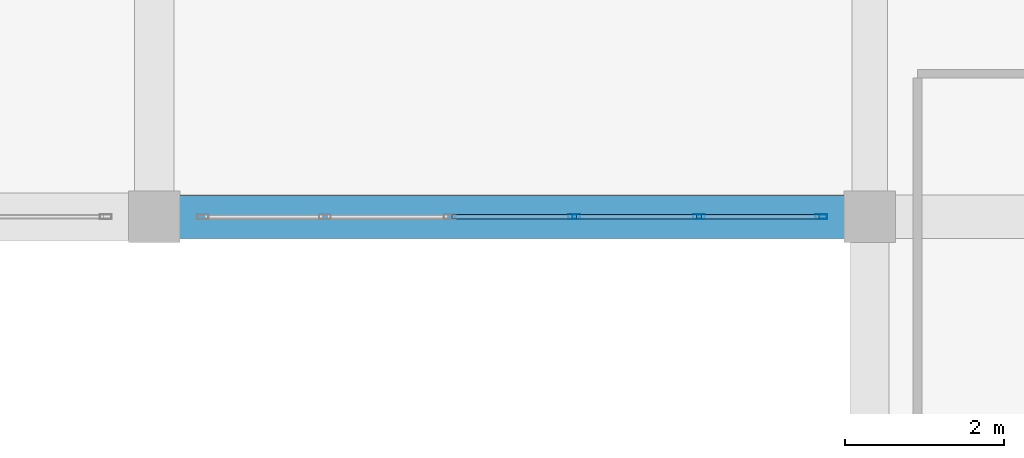
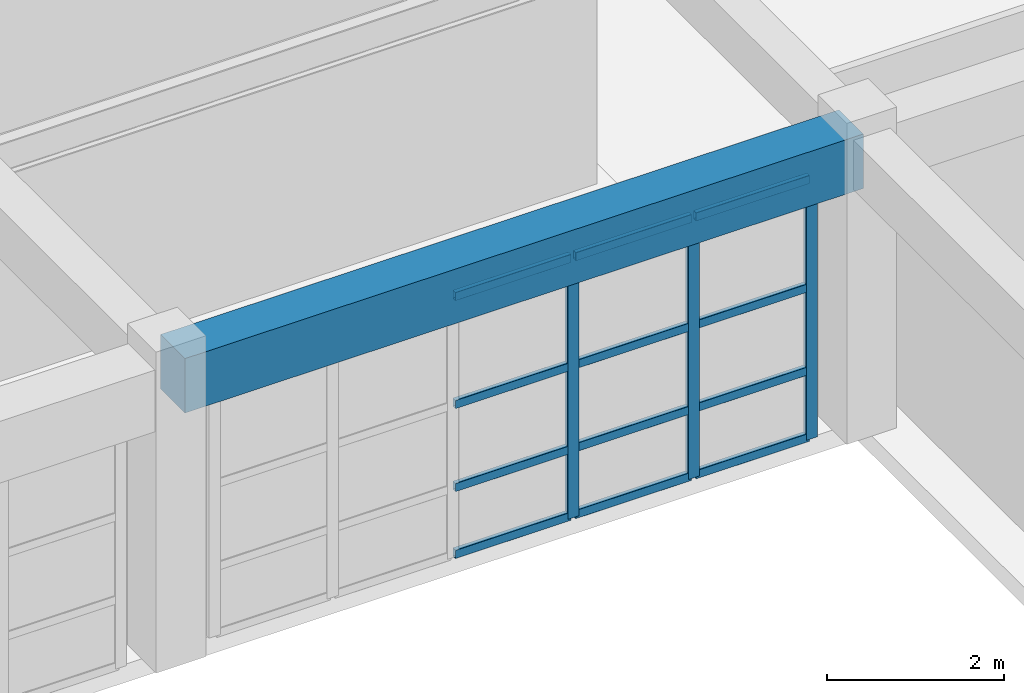
# One storey, part 81 of 133: 15 members, 1 beam, 1 element without a shape of its own.
"""IFC4 building model written with IfcOpenShell, lengths in metres."""

from ifc_helpers import new_model, si_unit, direction, frame, origin, origin_2d, place, context, subcontext, project, spatial, rectangle, hollow_rectangle, extrude, material, material_profile, profile_set, type_object, element, aggregate, save


model = new_model("IFC4")

# Units and contexts
model_context = context("Model", 3, precision=1e-05, world=origin(), true_north=direction((0.0, 1.0)))
body_context = subcontext(model_context, "Body", "Model", "MODEL_VIEW")
ifc_project = project(units=[si_unit("LENGTHUNIT", "METRE"), si_unit("AREAUNIT", "SQUARE_METRE"), si_unit("VOLUMEUNIT", "CUBIC_METRE"), si_unit("PLANEANGLEUNIT", "RADIAN"), si_unit("MASSUNIT", "GRAM", prefix="KILO")], contexts=[model_context])

# Site, building, storey
site_placement = place(None, origin())
site = spatial("IfcSite", under=ifc_project, at=site_placement, CompositionType="ELEMENT")
building_placement = place(site_placement, origin())
building = spatial("IfcBuilding", under=site, at=building_placement, Name="Miravela Opera House", CompositionType="ELEMENT")
storey_placement = place(building_placement, frame((0.0, 0.0, 5.10009765625)))
storey = spatial("IfcBuildingStorey", under=building, at=storey_placement, Name="L01", CompositionType="ELEMENT", Elevation=5.10009765625)

# Curtain wall, members
ifc_material_1 = material(Name="Anodised architectural bronze aluminium 6063-T6", Category="aluminium")
curtain_wall_type = type_object("IfcCurtainWallType", Name="ARC-CW-06", PredefinedType="NOTDEFINED", material=ifc_material_1)
curtain_wall_placement = place(storey_placement, origin())
curtain_wall = element("IfcCurtainWall", 1, at=curtain_wall_placement, inside=storey, type_object=curtain_wall_type, Name="Courtyard Arcade Curtain Wall CW-L01-178", PredefinedType="NOTDEFINED")
ifc_material_profile_1 = material_profile(ifc_material_1, hollow_rectangle(XDim=0.06005859375, YDim=0.14990234375, WallThickness=0.00390625, InnerFilletRadius=0.001953125, OuterFilletRadius=0.00390625, at=origin_2d()), Name="CWM-60X150")
ifc_profile_set_1 = profile_set([ifc_material_profile_1])
member_type_1 = type_object("IfcMemberType", Name="ARC-CWM-150", PredefinedType="MULLION", material=ifc_profile_set_1)
member_1_placement = place(storey_placement, frame((140.283935546875, 28.0, 0.0), z_axis=(0.0, 0.0, 1.0), x_axis=(0.0, 1.0, 0.0)))
member_1 = element("IfcMember", 2, at=member_1_placement, type_object=member_type_1, Name="CW-06 mullion 4", PredefinedType="MULLION", context=body_context, shape_type="SweptSolid", body=[
    extrude(hollow_rectangle(XDim=0.06005859375, YDim=0.14990234375, WallThickness=0.00390625, InnerFilletRadius=0.001953125, OuterFilletRadius=0.00390625, at=origin_2d()), origin(), (0.0, 0.0, 1.0), 3.60986328125),
])
member_2_placement = place(storey_placement, frame((141.85205078125, 28.0, 0.0), z_axis=(0.0, 0.0, 1.0), x_axis=(0.0, 1.0, 0.0)))
member_2 = element("IfcMember", 3, at=member_2_placement, type_object=member_type_1, Name="CW-06 mullion 5", PredefinedType="MULLION", context=body_context, shape_type="SweptSolid", body=[
    extrude(hollow_rectangle(XDim=0.06005859375, YDim=0.14990234375, WallThickness=0.00390625, InnerFilletRadius=0.001953125, OuterFilletRadius=0.00390625, at=origin_2d()), origin(), (0.0, 0.0, 1.0), 3.60986328125),
])
member_3_placement = place(storey_placement, frame((143.389892578125, 28.0, 0.0), z_axis=(0.0, 0.0, 1.0), x_axis=(0.0, 1.0, 0.0)))
member_3 = element("IfcMember", 4, at=member_3_placement, type_object=member_type_1, Name="CW-06 mullion 6", PredefinedType="MULLION", context=body_context, shape_type="SweptSolid", body=[
    extrude(hollow_rectangle(XDim=0.06005859375, YDim=0.14990234375, WallThickness=0.00390625, InnerFilletRadius=0.001953125, OuterFilletRadius=0.00390625, at=origin_2d()), origin(), (0.0, 0.0, 1.0), 3.60986328125),
])
ifc_material_profile_2 = material_profile(ifc_material_1, hollow_rectangle(XDim=0.06005859375, YDim=0.114990234375, WallThickness=0.00390625, InnerFilletRadius=0.001953125, OuterFilletRadius=0.00390625, at=origin_2d()), Name="CWT-60X115")
ifc_profile_set_2 = profile_set([ifc_material_profile_2])
member_type_2 = type_object("IfcMemberType", Name="ARC-CWT-115", PredefinedType="USERDEFINED", material=ifc_profile_set_2)
member_4_placement = place(storey_placement, frame((138.74609375, 28.0, 0.02978515625), z_axis=(1.0, 0.0, 0.0), x_axis=(0.0, 1.0, 0.0)))
member_4 = element("IfcMember", 5, at=member_4_placement, type_object=member_type_2, Name="CW-06 transom 3.1", ObjectType="TRANSOM", PredefinedType="USERDEFINED", context=body_context, shape_type="SweptSolid", body=[
    extrude(hollow_rectangle(XDim=0.06005859375, YDim=0.114990234375, WallThickness=0.00390625, InnerFilletRadius=0.001953125, OuterFilletRadius=0.00390625, at=origin_2d()), origin(), (0.0, 0.0, 1.0), 1.5078125),
])
member_5_placement = place(storey_placement, frame((138.74609375, 28.0, 0.949951171875), z_axis=(1.0, 0.0, 0.0), x_axis=(0.0, 1.0, 0.0)))
member_5 = element("IfcMember", 6, at=member_5_placement, type_object=member_type_2, Name="CW-06 transom 3.2", ObjectType="TRANSOM", PredefinedType="USERDEFINED", context=body_context, shape_type="SweptSolid", body=[
    extrude(hollow_rectangle(XDim=0.06005859375, YDim=0.114990234375, WallThickness=0.00390625, InnerFilletRadius=0.001953125, OuterFilletRadius=0.00390625, at=origin_2d()), origin(), (0.0, 0.0, 1.0), 1.5078125),
])
member_6_placement = place(storey_placement, frame((138.74609375, 28.0, 2.09375), z_axis=(1.0, 0.0, 0.0), x_axis=(0.0, 1.0, 0.0)))
member_6 = element("IfcMember", 7, at=member_6_placement, type_object=member_type_2, Name="CW-06 transom 3.3", ObjectType="TRANSOM", PredefinedType="USERDEFINED", context=body_context, shape_type="SweptSolid", body=[
    extrude(hollow_rectangle(XDim=0.06005859375, YDim=0.114990234375, WallThickness=0.00390625, InnerFilletRadius=0.001953125, OuterFilletRadius=0.00390625, at=origin_2d()), origin(), (0.0, 0.0, 1.0), 1.5078125),
])
member_7_placement = place(storey_placement, frame((138.74609375, 28.0, 3.579833984375), z_axis=(1.0, 0.0, 0.0), x_axis=(0.0, 1.0, 0.0)))
member_7 = element("IfcMember", 8, at=member_7_placement, type_object=member_type_2, Name="CW-06 transom 3.4", ObjectType="TRANSOM", PredefinedType="USERDEFINED", context=body_context, shape_type="SweptSolid", body=[
    extrude(hollow_rectangle(XDim=0.06005859375, YDim=0.114990234375, WallThickness=0.00390625, InnerFilletRadius=0.001953125, OuterFilletRadius=0.00390625, at=origin_2d()), origin(), (0.0, 0.0, 1.0), 1.5078125),
])
member_8_placement = place(storey_placement, frame((140.31396484375, 28.0, 0.02978515625), z_axis=(1.0, 0.0, 0.0), x_axis=(0.0, 1.0, 0.0)))
member_8 = element("IfcMember", 9, at=member_8_placement, type_object=member_type_2, Name="CW-06 transom 4.1", ObjectType="TRANSOM", PredefinedType="USERDEFINED", context=body_context, shape_type="SweptSolid", body=[
    extrude(hollow_rectangle(XDim=0.06005859375, YDim=0.114990234375, WallThickness=0.00390625, InnerFilletRadius=0.001953125, OuterFilletRadius=0.00390625, at=origin_2d()), origin(), (0.0, 0.0, 1.0), 1.508056640625),
])
member_9_placement = place(storey_placement, frame((140.31396484375, 28.0, 0.949951171875), z_axis=(1.0, 0.0, 0.0), x_axis=(0.0, 1.0, 0.0)))
member_9 = element("IfcMember", 10, at=member_9_placement, type_object=member_type_2, Name="CW-06 transom 4.2", ObjectType="TRANSOM", PredefinedType="USERDEFINED", context=body_context, shape_type="SweptSolid", body=[
    extrude(hollow_rectangle(XDim=0.06005859375, YDim=0.114990234375, WallThickness=0.00390625, InnerFilletRadius=0.001953125, OuterFilletRadius=0.00390625, at=origin_2d()), origin(), (0.0, 0.0, 1.0), 1.508056640625),
])
member_10_placement = place(storey_placement, frame((140.31396484375, 28.0, 2.09375), z_axis=(1.0, 0.0, 0.0), x_axis=(0.0, 1.0, 0.0)))
member_10 = element("IfcMember", 11, at=member_10_placement, type_object=member_type_2, Name="CW-06 transom 4.3", ObjectType="TRANSOM", PredefinedType="USERDEFINED", context=body_context, shape_type="SweptSolid", body=[
    extrude(hollow_rectangle(XDim=0.06005859375, YDim=0.114990234375, WallThickness=0.00390625, InnerFilletRadius=0.001953125, OuterFilletRadius=0.00390625, at=origin_2d()), origin(), (0.0, 0.0, 1.0), 1.508056640625),
])
member_11_placement = place(storey_placement, frame((140.31396484375, 28.0, 3.579833984375), z_axis=(1.0, 0.0, 0.0), x_axis=(0.0, 1.0, 0.0)))
member_11 = element("IfcMember", 12, at=member_11_placement, type_object=member_type_2, Name="CW-06 transom 4.4", ObjectType="TRANSOM", PredefinedType="USERDEFINED", context=body_context, shape_type="SweptSolid", body=[
    extrude(hollow_rectangle(XDim=0.06005859375, YDim=0.114990234375, WallThickness=0.00390625, InnerFilletRadius=0.001953125, OuterFilletRadius=0.00390625, at=origin_2d()), origin(), (0.0, 0.0, 1.0), 1.508056640625),
])
member_12_placement = place(storey_placement, frame((141.882080078125, 28.0, 0.02978515625), z_axis=(1.0, 0.0, 0.0), x_axis=(0.0, 1.0, 0.0)))
member_12 = element("IfcMember", 13, at=member_12_placement, type_object=member_type_2, Name="CW-06 transom 5.1", ObjectType="TRANSOM", PredefinedType="USERDEFINED", context=body_context, shape_type="SweptSolid", body=[
    extrude(hollow_rectangle(XDim=0.06005859375, YDim=0.114990234375, WallThickness=0.00390625, InnerFilletRadius=0.001953125, OuterFilletRadius=0.00390625, at=origin_2d()), origin(), (0.0, 0.0, 1.0), 1.47802734375),
])
member_13_placement = place(storey_placement, frame((141.882080078125, 28.0, 0.949951171875), z_axis=(1.0, 0.0, 0.0), x_axis=(0.0, 1.0, 0.0)))
member_13 = element("IfcMember", 14, at=member_13_placement, type_object=member_type_2, Name="CW-06 transom 5.2", ObjectType="TRANSOM", PredefinedType="USERDEFINED", context=body_context, shape_type="SweptSolid", body=[
    extrude(hollow_rectangle(XDim=0.06005859375, YDim=0.114990234375, WallThickness=0.00390625, InnerFilletRadius=0.001953125, OuterFilletRadius=0.00390625, at=origin_2d()), origin(), (0.0, 0.0, 1.0), 1.47802734375),
])
member_14_placement = place(storey_placement, frame((141.882080078125, 28.0, 2.09375), z_axis=(1.0, 0.0, 0.0), x_axis=(0.0, 1.0, 0.0)))
member_14 = element("IfcMember", 15, at=member_14_placement, type_object=member_type_2, Name="CW-06 transom 5.3", ObjectType="TRANSOM", PredefinedType="USERDEFINED", context=body_context, shape_type="SweptSolid", body=[
    extrude(hollow_rectangle(XDim=0.06005859375, YDim=0.114990234375, WallThickness=0.00390625, InnerFilletRadius=0.001953125, OuterFilletRadius=0.00390625, at=origin_2d()), origin(), (0.0, 0.0, 1.0), 1.47802734375),
])
member_15_placement = place(storey_placement, frame((141.882080078125, 28.0, 3.579833984375), z_axis=(1.0, 0.0, 0.0), x_axis=(0.0, 1.0, 0.0)))
member_15 = element("IfcMember", 16, at=member_15_placement, type_object=member_type_2, Name="CW-06 transom 5.4", ObjectType="TRANSOM", PredefinedType="USERDEFINED", context=body_context, shape_type="SweptSolid", body=[
    extrude(hollow_rectangle(XDim=0.06005859375, YDim=0.114990234375, WallThickness=0.00390625, InnerFilletRadius=0.001953125, OuterFilletRadius=0.00390625, at=origin_2d()), origin(), (0.0, 0.0, 1.0), 1.47802734375),
])
aggregate(curtain_wall, [member_1, member_2, member_3, member_4, member_5, member_6, member_7, member_8, member_9, member_10, member_11, member_12, member_13, member_14, member_15])

# Beam
ifc_material_2 = material(Name="Concrete C35/45", Category="concrete")
ifc_material_profile_3 = material_profile(ifc_material_2, rectangle(XDim=0.550048828125, YDim=0.75, at=origin_2d()), Name="RC-BM-550X750")
ifc_profile_set_3 = profile_set([ifc_material_profile_3])
beam_type = type_object("IfcBeamType", Name="STR-BM-RC550X750", PredefinedType="BEAM", material=ifc_profile_set_3)
beam_placement = place(storey_placement, frame((135.080078125, 28.0, 3.784912109375), z_axis=(1.0, 0.0, 0.0), x_axis=(0.0, 1.0, 0.0)))
element("IfcBeam", 17, at=beam_placement, inside=storey, type_object=beam_type, Name="Floor Girder L01 16-17/D", PredefinedType="BEAM", context=body_context, shape_type="SweptSolid", body=[
    extrude(rectangle(XDim=0.550048828125, YDim=0.75, at=origin_2d()), origin(), (0.0, 0.0, 1.0), 8.83984375),
])

save(model, "model.ifc")
